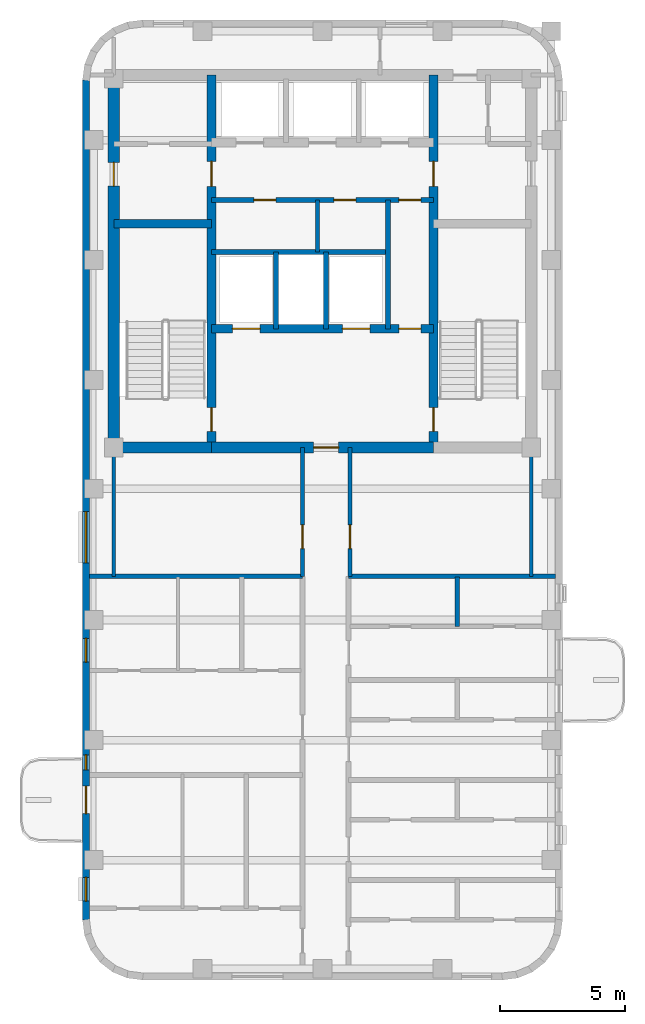
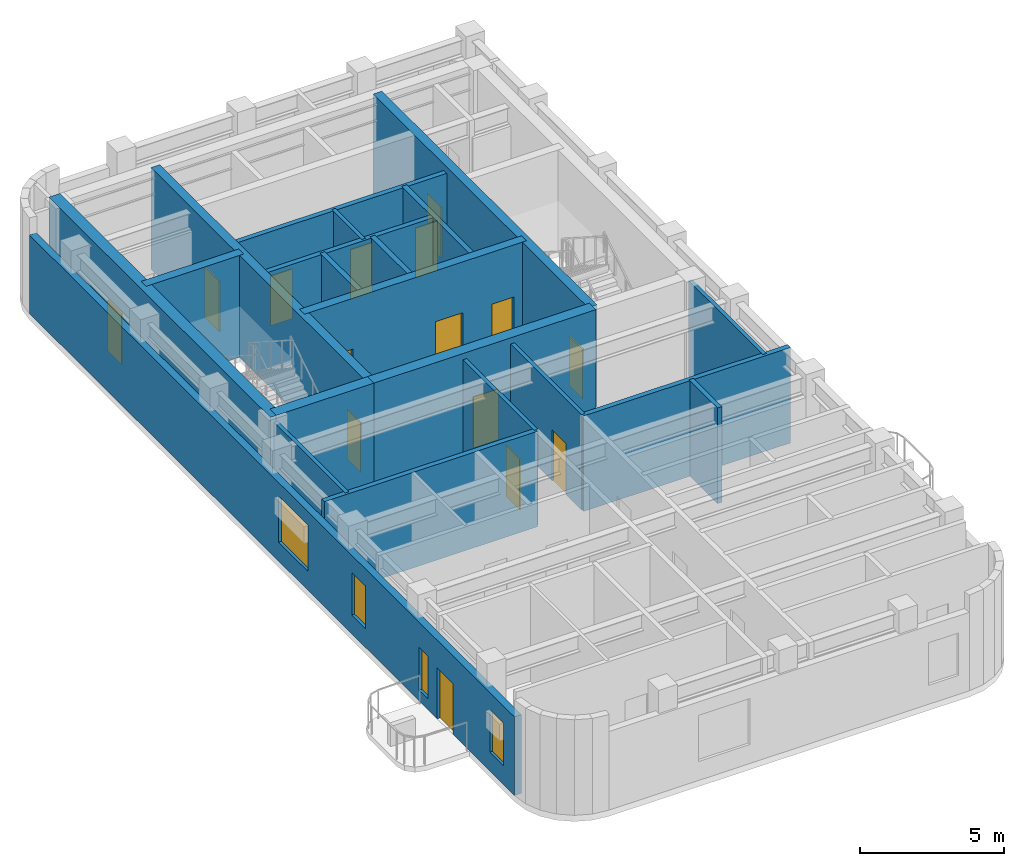
# One storey, part 3 of 7: 21 walls, 15 doors, 4 windows, 19 openings.
"""IFC4 building model written with IfcOpenShell, lengths in metres."""

from ifc_helpers import new_model, si_unit, direction, frame, frame_2d, origin, place, context, subcontext, project, spatial, rectangle, extrude, material, layer, layer_set, type_object, element, fill, save


model = new_model("IFC4")

# Units and contexts
model_context = context("Model", 3, precision=1e-05, world=origin(), true_north=direction((0.0, 1.0)))
body_context = subcontext(model_context, "Body", "Model", "MODEL_VIEW")
ifc_project = project(units=[si_unit("LENGTHUNIT", "METRE"), si_unit("AREAUNIT", "SQUARE_METRE"), si_unit("VOLUMEUNIT", "CUBIC_METRE"), si_unit("PLANEANGLEUNIT", "RADIAN"), si_unit("MASSUNIT", "GRAM", prefix="KILO")], contexts=[model_context])

# Site, building, storey
site_placement = place(None, origin())
site = spatial("IfcSite", under=ifc_project, at=site_placement, CompositionType="ELEMENT")
building_placement = place(site_placement, origin())
building = spatial("IfcBuilding", under=site, at=building_placement, Name="Orvandelia Arch Residences", CompositionType="ELEMENT")
storey_placement = place(building_placement, frame((0.0, 0.0, 257.0)))
storey = spatial("IfcBuildingStorey", under=building, at=storey_placement, Name="L67", CompositionType="ELEMENT", Elevation=257.0)

# Wall, openings, doors
ifc_material_1 = material(Name="Concrete C50/60", Category="concrete")
ifc_layer_1 = layer(ifc_material_1, 0.35009765625, Name="Concrete C50/60", Category="concrete")
ifc_layer_set_1 = layer_set([ifc_layer_1], Name="Concrete C50/60")
wall_type_1 = type_object("IfcWallType", Name="WL-CORE-350", PredefinedType="SHEAR", material=ifc_layer_set_1)
wall_1_placement = place(storey_placement, frame((9.9599609375, 30.89990234375, 0.0), z_axis=(0.0, 0.0, 1.0), x_axis=(0.0, 1.0, 0.0)))
wall_1 = element("IfcWall", 1, at=wall_1_placement, inside=storey, type_object=wall_type_1, Name="Core Shear Wall L67-WEB1", PredefinedType="SHEAR", context=body_context, shape_type="SweptSolid", body=[
    extrude(rectangle(XDim=14.900146484375, YDim=0.35009765625, at=frame_2d((7.4501953125, 0.0))), origin(), (0.0, 0.0, 1.0), 4.300048828125),
])
opening_1_placement = place(wall_1_placement, frame((0.64990234375, 0.0, 0.0)))
opening_1 = element("IfcOpeningElement", 2, at=opening_1_placement, cuts=wall_1, Name="Opening D7", PredefinedType="OPENING", context=body_context, shape_type="SweptSolid", body=[
    extrude(rectangle(XDim=0.949951171875, YDim=2.10009765625, at=frame_2d((0.47509765625, 1.050048828125))), frame((0.0, 0.18505859375, 0.0), z_axis=(0.0, -1.0, 0.0), x_axis=(1.0, 0.0, 0.0)), (0.0, 0.0, 1.0), 0.3701171875),
])
opening_2_placement = place(wall_1_placement, frame((10.449951171875, 0.0, 0.0)))
opening_2 = element("IfcOpeningElement", 3, at=opening_2_placement, cuts=wall_1, Name="Opening D6", PredefinedType="OPENING", context=body_context, shape_type="SweptSolid", body=[
    extrude(rectangle(XDim=1.0, YDim=2.14990234375, at=frame_2d((0.5, 1.074951171875))), frame((0.0, 0.18505859375, 0.0), z_axis=(0.0, -1.0, 0.0), x_axis=(1.0, 0.0, 0.0)), (0.0, 0.0, 1.0), 0.3701171875),
])
ifc_material_2 = material(Name="Smokeproof Painted Steel Fire Door", Category="steel")
door_type_1 = type_object("IfcDoorType", Name="DR-FD60-1000", OperationType="NOTDEFINED", PredefinedType="DOOR", material=ifc_material_2)
door_1_placement = place(opening_2_placement, origin())
door_1 = element("IfcDoor", 4, at=door_1_placement, inside=storey, type_object=door_type_1, Name="High-Rise Lift Hall West Vestibule Door L67", OperationType="SINGLE_SWING_LEFT", OverallHeight=2.14990234375, OverallWidth=1.0, PredefinedType="DOOR", context=body_context, shape_type="SweptSolid", body=[
    extrude(rectangle(XDim=1.0, YDim=2.14990234375, at=frame_2d((0.5, 1.074951171875))), frame((0.0, 0.02490234375, 0.0), z_axis=(0.0, -1.0, 0.0), x_axis=(1.0, 0.0, 0.0)), (0.0, 0.0, 1.0), 0.050048828125),
])
fill(opening_2, door_1)
ifc_material_3 = material(Name="Pressurised Stairwell Fire Door")
door_type_2 = type_object("IfcDoorType", Name="DR-STAIR-950", OperationType="NOTDEFINED", PredefinedType="DOOR", material=ifc_material_3)
door_2_placement = place(opening_1_placement, origin())
door_2 = element("IfcDoor", 5, at=door_2_placement, inside=storey, type_object=door_type_2, Name="Stairwell ST-1 Fire Door L67", OperationType="SINGLE_SWING_LEFT", OverallHeight=2.10009765625, OverallWidth=0.949951171875, PredefinedType="DOOR", context=body_context, shape_type="SweptSolid", body=[
    extrude(rectangle(XDim=0.949951171875, YDim=2.10009765625, at=frame_2d((0.47509765625, 1.050048828125))), frame((0.0, 0.02490234375, 0.0), z_axis=(0.0, -1.0, 0.0), x_axis=(1.0, 0.0, 0.0)), (0.0, 0.0, 1.0), 0.050048828125),
])
fill(opening_1, door_2)

wall_2_placement = place(storey_placement, frame((18.840087890625, 30.89990234375, 0.0), z_axis=(0.0, 0.0, 1.0), x_axis=(0.0, 1.0, 0.0)))
wall_2 = element("IfcWall", 6, at=wall_2_placement, inside=storey, type_object=wall_type_1, Name="Core Shear Wall L67-WEB2", PredefinedType="SHEAR", context=body_context, shape_type="SweptSolid", body=[
    extrude(rectangle(XDim=14.900146484375, YDim=0.35009765625, at=frame_2d((7.4501953125, 0.0))), origin(), (0.0, 0.0, 1.0), 4.300048828125),
])
opening_3_placement = place(wall_2_placement, frame((0.64990234375, 0.0, 0.0)))
opening_3 = element("IfcOpeningElement", 7, at=opening_3_placement, cuts=wall_2, Name="Opening D7", PredefinedType="OPENING", context=body_context, shape_type="SweptSolid", body=[
    extrude(rectangle(XDim=0.949951171875, YDim=2.10009765625, at=frame_2d((0.47509765625, 1.050048828125))), frame((0.0, 0.18505859375, 0.0), z_axis=(0.0, -1.0, 0.0), x_axis=(1.0, 0.0, 0.0)), (0.0, 0.0, 1.0), 0.3701171875),
])
opening_4_placement = place(wall_2_placement, frame((10.449951171875, 0.0, 0.0)))
opening_4 = element("IfcOpeningElement", 8, at=opening_4_placement, cuts=wall_2, Name="Opening D6", PredefinedType="OPENING", context=body_context, shape_type="SweptSolid", body=[
    extrude(rectangle(XDim=1.0, YDim=2.14990234375, at=frame_2d((0.5, 1.074951171875))), frame((0.0, 0.18505859375, 0.0), z_axis=(0.0, -1.0, 0.0), x_axis=(1.0, 0.0, 0.0)), (0.0, 0.0, 1.0), 0.3701171875),
])
door_3_placement = place(opening_4_placement, origin())
door_3 = element("IfcDoor", 9, at=door_3_placement, inside=storey, type_object=door_type_1, Name="High-Rise Lift Hall East Vestibule Door L67", OperationType="SINGLE_SWING_RIGHT", OverallHeight=2.14990234375, OverallWidth=1.0, PredefinedType="DOOR", context=body_context, shape_type="SweptSolid", body=[
    extrude(rectangle(XDim=1.0, YDim=2.14990234375, at=frame_2d((0.5, 1.074951171875))), frame((0.0, 0.02490234375, 0.0), z_axis=(0.0, -1.0, 0.0), x_axis=(1.0, 0.0, 0.0)), (0.0, 0.0, 1.0), 0.050048828125),
])
fill(opening_4, door_3)
door_4_placement = place(opening_3_placement, origin())
door_4 = element("IfcDoor", 10, at=door_4_placement, inside=storey, type_object=door_type_2, Name="Stairwell ST-2 Fire Door L67", OperationType="SINGLE_SWING_RIGHT", OverallHeight=2.10009765625, OverallWidth=0.949951171875, PredefinedType="DOOR", context=body_context, shape_type="SweptSolid", body=[
    extrude(rectangle(XDim=0.949951171875, YDim=2.10009765625, at=frame_2d((0.47509765625, 1.050048828125))), frame((0.0, 0.02490234375, 0.0), z_axis=(0.0, -1.0, 0.0), x_axis=(1.0, 0.0, 0.0)), (0.0, 0.0, 1.0), 0.050048828125),
])
fill(opening_3, door_4)

# Wall
wall_3_placement = place(storey_placement, frame((6.050048828125, 39.85009765625, 0.0), z_axis=(0.0, 0.0, 1.0), x_axis=(1.0, 0.0, 0.0)))
element("IfcWall", 11, at=wall_3_placement, inside=storey, type_object=wall_type_1, Name="Core Shear Wall L67-HZ1", PredefinedType="SHEAR", context=body_context, shape_type="SweptSolid", body=[
    extrude(rectangle(XDim=3.909912109375, YDim=0.35009765625, at=frame_2d((1.955078125, 0.0))), origin(), (0.0, 0.0, 1.0), 4.300048828125),
])

# Wall, openings, doors
wall_4_placement = place(storey_placement, frame((9.9599609375, 35.64990234375, 0.0), z_axis=(0.0, 0.0, 1.0), x_axis=(1.0, 0.0, 0.0)))
wall_4 = element("IfcWall", 12, at=wall_4_placement, inside=storey, type_object=wall_type_1, Name="Core Shear Wall L67-HZ3", PredefinedType="SHEAR", context=body_context, shape_type="SweptSolid", body=[
    extrude(rectangle(XDim=8.880126953125, YDim=0.35009765625, at=frame_2d((4.43994140625, 0.0))), origin(), (0.0, 0.0, 1.0), 4.300048828125),
])
opening_5_placement = place(wall_4_placement, frame((0.840087890625, 0.0, 0.0)))
opening_5 = element("IfcOpeningElement", 13, at=opening_5_placement, cuts=wall_4, Name="Opening FLD", PredefinedType="OPENING", context=body_context, shape_type="SweptSolid", body=[
    extrude(rectangle(XDim=1.10009765625, YDim=2.14990234375, at=frame_2d((0.550048828125, 1.074951171875))), frame((0.0, 0.18505859375, 0.0), z_axis=(0.0, -1.0, 0.0), x_axis=(1.0, 0.0, 0.0)), (0.0, 0.0, 1.0), 0.3701171875),
])
opening_6_placement = place(wall_4_placement, frame((5.239990234375, 0.0, 0.0)))
opening_6 = element("IfcOpeningElement", 14, at=opening_6_placement, cuts=wall_4, Name="Opening FLD", PredefinedType="OPENING", context=body_context, shape_type="SweptSolid", body=[
    extrude(rectangle(XDim=1.10009765625, YDim=2.14990234375, at=frame_2d((0.550048828125, 1.074951171875))), frame((0.0, 0.18505859375, 0.0), z_axis=(0.0, -1.0, 0.0), x_axis=(1.0, 0.0, 0.0)), (0.0, 0.0, 1.0), 0.3701171875),
])
opening_7_placement = place(wall_4_placement, frame((7.5, 0.0, 0.0)))
opening_7 = element("IfcOpeningElement", 15, at=opening_7_placement, cuts=wall_4, Name="Opening D5", PredefinedType="OPENING", context=body_context, shape_type="SweptSolid", body=[
    extrude(rectangle(XDim=0.8798828125, YDim=2.10009765625, at=frame_2d((0.43994140625, 1.050048828125))), frame((0.0, 0.18505859375, 0.0), z_axis=(0.0, -1.0, 0.0), x_axis=(1.0, 0.0, 0.0)), (0.0, 0.0, 1.0), 0.3701171875),
])
ifc_material_4 = material(Name="Firefighting Lift Stainless Sliding Door")
door_type_3 = type_object("IfcDoorType", Name="DR-FLFT-1100", OperationType="NOTDEFINED", PredefinedType="DOOR", material=ifc_material_4)
door_5_placement = place(opening_5_placement, origin())
door_5 = element("IfcDoor", 16, at=door_5_placement, inside=storey, type_object=door_type_3, Name="Firefighting Lift Landing Door FLD-FL1-L67", OperationType="SLIDING_TO_LEFT", OverallHeight=2.14990234375, OverallWidth=1.10009765625, PredefinedType="DOOR", context=body_context, shape_type="SweptSolid", body=[
    extrude(rectangle(XDim=1.10009765625, YDim=2.14990234375, at=frame_2d((0.550048828125, 1.074951171875))), frame((0.0, 0.02490234375, 0.0), z_axis=(0.0, -1.0, 0.0), x_axis=(1.0, 0.0, 0.0)), (0.0, 0.0, 1.0), 0.050048828125),
])
fill(opening_5, door_5)
door_6_placement = place(opening_6_placement, origin())
door_6 = element("IfcDoor", 17, at=door_6_placement, inside=storey, type_object=door_type_3, Name="Firefighting Lift Landing Door FLD-FL2-L67", OperationType="SLIDING_TO_RIGHT", OverallHeight=2.14990234375, OverallWidth=1.10009765625, PredefinedType="DOOR", context=body_context, shape_type="SweptSolid", body=[
    extrude(rectangle(XDim=1.10009765625, YDim=2.14990234375, at=frame_2d((0.550048828125, 1.074951171875))), frame((0.0, 0.02490234375, 0.0), z_axis=(0.0, -1.0, 0.0), x_axis=(1.0, 0.0, 0.0)), (0.0, 0.0, 1.0), 0.050048828125),
])
fill(opening_6, door_6)
ifc_material_5 = material(Name="Painted Galvanised Steel Service Door", Category="steel")
door_type_4 = type_object("IfcDoorType", Name="DR-SRV-880", OperationType="NOTDEFINED", PredefinedType="DOOR", material=ifc_material_5)
door_7_placement = place(opening_7_placement, origin())
door_7 = element("IfcDoor", 18, at=door_7_placement, inside=storey, type_object=door_type_4, Name="Core Stairway Passage South Fire Door L67", OperationType="SINGLE_SWING_LEFT", OverallHeight=2.10009765625, OverallWidth=0.8798828125, PredefinedType="DOOR", context=body_context, shape_type="SweptSolid", body=[
    extrude(rectangle(XDim=0.8798828125, YDim=2.10009765625, at=frame_2d((0.43994140625, 1.050048828125))), frame((0.0, 0.02490234375, 0.0), z_axis=(0.0, -1.0, 0.0), x_axis=(1.0, 0.0, 0.0)), (0.0, 0.0, 1.0), 0.050048828125),
])
fill(opening_7, door_7)

# Wall, opening, door
ifc_layer_2 = layer(ifc_material_1, 0.449951171875, Name="Concrete C50/60", Category="concrete")
ifc_layer_set_2 = layer_set([ifc_layer_2], Name="Concrete C50/60")
wall_type_2 = type_object("IfcWallType", Name="WL-CORE-450", PredefinedType="SHEAR", material=ifc_layer_set_2)
wall_5_placement = place(storey_placement, frame((6.050048828125, 30.675048828125, 0.0), z_axis=(0.0, 0.0, 1.0), x_axis=(0.0, 1.0, 0.0)))
wall_5 = element("IfcWall", 19, at=wall_5_placement, inside=storey, type_object=wall_type_2, Name="Core Shear Wall L67-W", PredefinedType="SHEAR", context=body_context, shape_type="SweptSolid", body=[
    extrude(rectangle(XDim=15.349853515625, YDim=0.449951171875, at=frame_2d((7.6748046875, 0.0))), origin(), (0.0, 0.0, 1.0), 4.300048828125),
])
opening_8_placement = place(wall_5_placement, frame((10.675048828125, 0.0, 0.0)))
opening_8 = element("IfcOpeningElement", 20, at=opening_8_placement, cuts=wall_5, Name="Opening D2", PredefinedType="OPENING", context=body_context, shape_type="SweptSolid", body=[
    extrude(rectangle(XDim=0.949951171875, YDim=2.14990234375, at=frame_2d((0.47509765625, 1.074951171875))), frame((0.0, 0.23486328125, 0.0), z_axis=(0.0, -1.0, 0.0), x_axis=(1.0, 0.0, 0.0)), (0.0, 0.0, 1.0), 0.469970703125),
])
ifc_material_6 = material(Name="Solid-Core Timber Interior Fire Door", Category="wood")
door_type_5 = type_object("IfcDoorType", Name="DR-APT-950", OperationType="NOTDEFINED", PredefinedType="DOOR", material=ifc_material_6)
door_8_placement = place(opening_8_placement, origin())
door_8 = element("IfcDoor", 21, at=door_8_placement, inside=storey, type_object=door_type_5, Name="West Viewing Study Door L67", OperationType="SINGLE_SWING_RIGHT", OverallHeight=2.14990234375, OverallWidth=0.949951171875, PredefinedType="DOOR", context=body_context, shape_type="SweptSolid", body=[
    extrude(rectangle(XDim=0.949951171875, YDim=2.14990234375, at=frame_2d((0.47509765625, 1.074951171875))), frame((0.0, 0.02490234375, 0.0), z_axis=(0.0, -1.0, 0.0), x_axis=(1.0, 0.0, 0.0)), (0.0, 0.0, 1.0), 0.050048828125),
])
fill(opening_8, door_8)

# Wall
wall_6_placement = place(storey_placement, frame((6.050048828125, 30.89990234375, 0.0), z_axis=(0.0, 0.0, 1.0), x_axis=(1.0, 0.0, 0.0)))
element("IfcWall", 22, at=wall_6_placement, inside=storey, type_object=wall_type_2, Name="Core Shear Wall L67-SW", PredefinedType="SHEAR", context=body_context, shape_type="SweptSolid", body=[
    extrude(rectangle(XDim=3.909912109375, YDim=0.449951171875, at=frame_2d((1.955078125, 0.0))), origin(), (0.0, 0.0, 1.0), 4.300048828125),
])

# Wall, opening, door
wall_7_placement = place(storey_placement, frame((9.9599609375, 30.89990234375, 0.0), z_axis=(0.0, 0.0, 1.0), x_axis=(1.0, 0.0, 0.0)))
wall_7 = element("IfcWall", 23, at=wall_7_placement, inside=storey, type_object=wall_type_2, Name="Core Shear Wall L67-SM", PredefinedType="SHEAR", context=body_context, shape_type="SweptSolid", body=[
    extrude(rectangle(XDim=8.880126953125, YDim=0.449951171875, at=frame_2d((4.43994140625, 0.0))), origin(), (0.0, 0.0, 1.0), 4.300048828125),
])
opening_9_placement = place(wall_7_placement, frame((4.090087890625, 0.0, 0.0)))
opening_9 = element("IfcOpeningElement", 24, at=opening_9_placement, cuts=wall_7, Name="Opening D6", PredefinedType="OPENING", context=body_context, shape_type="SweptSolid", body=[
    extrude(rectangle(XDim=1.0, YDim=2.14990234375, at=frame_2d((0.5, 1.074951171875))), frame((0.0, 0.23486328125, 0.0), z_axis=(0.0, -1.0, 0.0), x_axis=(1.0, 0.0, 0.0)), (0.0, 0.0, 1.0), 0.469970703125),
])
door_9_placement = place(opening_9_placement, origin())
door_9 = element("IfcDoor", 25, at=door_9_placement, inside=storey, type_object=door_type_1, Name="Firefighting Lobby Smokeproof Door L67", OperationType="SINGLE_SWING_LEFT", OverallHeight=2.14990234375, OverallWidth=1.0, PredefinedType="DOOR", context=body_context, shape_type="SweptSolid", body=[
    extrude(rectangle(XDim=1.0, YDim=2.14990234375, at=frame_2d((0.5, 1.074951171875))), frame((0.0, 0.02490234375, 0.0), z_axis=(0.0, -1.0, 0.0), x_axis=(1.0, 0.0, 0.0)), (0.0, 0.0, 1.0), 0.050048828125),
])
fill(opening_9, door_9)

# Walls
ifc_material_7 = material(Name="Fire-Rated Corridor Partition")
ifc_layer_3 = layer(ifc_material_7, 0.199951171875, Name="Fire-Rated Corridor Partition")
ifc_layer_set_3 = layer_set([ifc_layer_3], Name="Fire-Rated Corridor Partition")
wall_type_3 = type_object("IfcWallType", Name="WL-CORR-200", PredefinedType="PARTITIONING", material=ifc_layer_set_3)
wall_8_placement = place(storey_placement, frame((5.080078125, 25.75, 0.0), z_axis=(0.0, 0.0, 1.0), x_axis=(1.0, 0.0, 0.0)))
element("IfcWall", 26, at=wall_8_placement, inside=storey, type_object=wall_type_3, Name="Interior Partition Wall WL-L67-WCLS-W", PredefinedType="PARTITIONING", context=body_context, shape_type="SweptSolid", body=[
    extrude(rectangle(XDim=8.52001953125, YDim=0.199951171875, at=frame_2d((4.260009765625, 0.0))), origin(), (0.0, 0.0, 1.0), 4.0400390625),
])
wall_9_placement = place(storey_placement, frame((15.449951171875, 25.75, 0.0), z_axis=(0.0, 0.0, 1.0), x_axis=(1.0, 0.0, 0.0)))
element("IfcWall", 27, at=wall_9_placement, inside=storey, type_object=wall_type_3, Name="Interior Partition Wall WL-L67-WCLS-E", PredefinedType="PARTITIONING", context=body_context, shape_type="SweptSolid", body=[
    extrude(rectangle(XDim=8.27001953125, YDim=0.199951171875, at=frame_2d((4.135009765625, 0.0))), origin(), (0.0, 0.0, 1.0), 4.0400390625),
])

# Wall, openings, door, windows
ifc_material_8 = material(Name="Precast concrete C40/50", Category="concrete")
ifc_layer_4 = layer(ifc_material_8, 0.280029296875, Name="Precast concrete C40/50", Category="concrete")
ifc_layer_set_4 = layer_set([ifc_layer_4], Name="Precast concrete C40/50")
wall_type_4 = type_object("IfcWallType", Name="WL-EXT-STONE-280", PredefinedType="STANDARD", material=ifc_layer_set_4)
wall_10_placement = place(storey_placement, frame((4.93994140625, 12.0, 0.0), z_axis=(0.0, 0.0, 1.0), x_axis=(0.0, 1.0, 0.0)))
wall_10 = element("IfcWall", 28, at=wall_10_placement, inside=storey, type_object=wall_type_4, Name="Coral-Limestone Precast Facade Wall L67-028", PredefinedType="STANDARD", context=body_context, shape_type="SweptSolid", body=[
    extrude(rectangle(XDim=33.60009765625, YDim=0.280029296875, at=frame_2d((16.800048828125, 0.0))), origin(), (0.0, 0.0, 1.0), 3.320068359375),
])
opening_10_placement = place(wall_10_placement, frame((4.25, 0.0, 0.0)))
opening_10 = element("IfcOpeningElement", 29, at=opening_10_placement, cuts=wall_10, Name="Opening BD1", PredefinedType="OPENING", context=body_context, shape_type="SweptSolid", body=[
    extrude(rectangle(XDim=1.10009765625, YDim=2.14990234375, at=frame_2d((0.550048828125, 1.074951171875))), frame((0.0, 0.14990234375, 0.0), z_axis=(0.0, -1.0, 0.0), x_axis=(1.0, 0.0, 0.0)), (0.0, 0.0, 1.0), 0.300048828125),
])
opening_11_placement = place(wall_10_placement, frame((0.758544921875, 0.0, 0.800048828125)))
opening_11 = element("IfcOpeningElement", 30, at=opening_11_placement, cuts=wall_10, Name="Opening W4", PredefinedType="OPENING", context=body_context, shape_type="SweptSolid", body=[
    extrude(rectangle(XDim=0.949951171875, YDim=1.800048828125, at=frame_2d((0.47509765625, 0.89990234375))), frame((0.0, 0.14990234375, 0.0), z_axis=(0.0, -1.0, 0.0), x_axis=(1.0, 0.0, 0.0)), (0.0, 0.0, 1.0), 0.300048828125),
])
opening_12_placement = place(wall_10_placement, frame((6.00244140625, 0.0, 0.449951171875)))
opening_12 = element("IfcOpeningElement", 31, at=opening_12_placement, cuts=wall_10, Name="Opening W12", PredefinedType="OPENING", context=body_context, shape_type="SweptSolid", body=[
    extrude(rectangle(XDim=0.60009765625, YDim=1.800048828125, at=frame_2d((0.300048828125, 0.89990234375))), frame((0.0, 0.14990234375, 0.0), z_axis=(0.0, -1.0, 0.0), x_axis=(1.0, 0.0, 0.0)), (0.0, 0.0, 1.0), 0.300048828125),
])
opening_13_placement = place(wall_10_placement, frame((10.3173828125, 0.0, 0.800048828125)))
opening_13 = element("IfcOpeningElement", 32, at=opening_13_placement, cuts=wall_10, Name="Opening W4", PredefinedType="OPENING", context=body_context, shape_type="SweptSolid", body=[
    extrude(rectangle(XDim=0.949951171875, YDim=1.800048828125, at=frame_2d((0.47509765625, 0.89990234375))), frame((0.0, 0.14990234375, 0.0), z_axis=(0.0, -1.0, 0.0), x_axis=(1.0, 0.0, 0.0)), (0.0, 0.0, 1.0), 0.300048828125),
])
opening_14_placement = place(wall_10_placement, frame((14.282470703125, 0.0, 0.800048828125)))
opening_14 = element("IfcOpeningElement", 33, at=opening_14_placement, cuts=wall_10, Name="Opening W8", PredefinedType="OPENING", context=body_context, shape_type="SweptSolid", body=[
    extrude(rectangle(XDim=2.050048828125, YDim=1.949951171875, at=frame_2d((1.02490234375, 0.97509765625))), frame((0.0, 0.14990234375, 0.0), z_axis=(0.0, -1.0, 0.0), x_axis=(1.0, 0.0, 0.0)), (0.0, 0.0, 1.0), 0.300048828125),
])
ifc_material_9 = material(Name="Thermally Broken Aluminium Glazed Door", Category="aluminium")
door_type_6 = type_object("IfcDoorType", Name="DR-BAL-GLAZ-1100", OperationType="NOTDEFINED", PredefinedType="DOOR", material=ifc_material_9)
door_10_placement = place(opening_10_placement, origin())
door_10 = element("IfcDoor", 34, at=door_10_placement, inside=storey, type_object=door_type_6, Name="Tree Balcony Glazed Door BAL-L67-W1", OperationType="SINGLE_SWING_RIGHT", OverallHeight=2.14990234375, OverallWidth=1.10009765625, PredefinedType="DOOR", context=body_context, shape_type="SweptSolid", body=[
    extrude(rectangle(XDim=1.10009765625, YDim=2.14990234375, at=frame_2d((0.550048828125, 1.074951171875))), frame((0.0, 0.02490234375, 0.0), z_axis=(0.0, -1.0, 0.0), x_axis=(1.0, 0.0, 0.0)), (0.0, 0.0, 1.0), 0.050048828125),
])
fill(opening_10, door_10)
ifc_material_10 = material(Name="Tempered Low-E Insulated Glazing", Category="glass")
window_type_1 = type_object("IfcWindowType", Name="WIN-LAN-0600x1800", PartitioningType="SINGLE_PANEL", PredefinedType="WINDOW", material=ifc_material_10)
window_1_placement = place(opening_12_placement, origin())
window_1 = element("IfcWindow", 35, at=window_1_placement, inside=storey, type_object=window_type_1, Name="Recessed Punched Window L67-013", OverallHeight=1.800048828125, OverallWidth=0.60009765625, PartitioningType="SINGLE_PANEL", PredefinedType="WINDOW", context=body_context, shape_type="SweptSolid", body=[
    extrude(rectangle(XDim=0.60009765625, YDim=1.800048828125, at=frame_2d((0.300048828125, 0.89990234375))), frame((0.0, 0.030029296875, 0.0), z_axis=(0.0, -1.0, 0.0), x_axis=(1.0, 0.0, 0.0)), (0.0, 0.0, 1.0), 0.06005859375),
])
fill(opening_12, window_1)
window_type_2 = type_object("IfcWindowType", Name="WIN-RES-0950x1800", PartitioningType="SINGLE_PANEL", PredefinedType="WINDOW", material=ifc_material_10)
window_2_placement = place(opening_11_placement, origin())
window_2 = element("IfcWindow", 36, at=window_2_placement, inside=storey, type_object=window_type_2, Name="Recessed Punched Window L67-012", OverallHeight=1.800048828125, OverallWidth=0.949951171875, PartitioningType="SINGLE_PANEL", PredefinedType="WINDOW", context=body_context, shape_type="SweptSolid", body=[
    extrude(rectangle(XDim=0.949951171875, YDim=1.800048828125, at=frame_2d((0.47509765625, 0.89990234375))), frame((0.0, 0.030029296875, 0.0), z_axis=(0.0, -1.0, 0.0), x_axis=(1.0, 0.0, 0.0)), (0.0, 0.0, 1.0), 0.06005859375),
])
fill(opening_11, window_2)
window_3_placement = place(opening_13_placement, origin())
window_3 = element("IfcWindow", 37, at=window_3_placement, inside=storey, type_object=window_type_2, Name="Recessed Punched Window L67-014", OverallHeight=1.800048828125, OverallWidth=0.949951171875, PartitioningType="SINGLE_PANEL", PredefinedType="WINDOW", context=body_context, shape_type="SweptSolid", body=[
    extrude(rectangle(XDim=0.949951171875, YDim=1.800048828125, at=frame_2d((0.47509765625, 0.89990234375))), frame((0.0, 0.030029296875, 0.0), z_axis=(0.0, -1.0, 0.0), x_axis=(1.0, 0.0, 0.0)), (0.0, 0.0, 1.0), 0.06005859375),
])
fill(opening_13, window_3)
window_type_3 = type_object("IfcWindowType", Name="WIN-UPP-2050x1950", PartitioningType="SINGLE_PANEL", PredefinedType="WINDOW", material=ifc_material_10)
window_4_placement = place(opening_14_placement, origin())
window_4 = element("IfcWindow", 38, at=window_4_placement, inside=storey, type_object=window_type_3, Name="Recessed Punched Window L67-015", OverallHeight=1.949951171875, OverallWidth=2.050048828125, PartitioningType="SINGLE_PANEL", PredefinedType="WINDOW", context=body_context, shape_type="SweptSolid", body=[
    extrude(rectangle(XDim=2.050048828125, YDim=1.949951171875, at=frame_2d((1.02490234375, 0.97509765625))), frame((0.0, 0.030029296875, 0.0), z_axis=(0.0, -1.0, 0.0), x_axis=(1.0, 0.0, 0.0)), (0.0, 0.0, 1.0), 0.06005859375),
])
fill(opening_14, window_4)

# Wall
ifc_material_11 = material(Name="Acoustic Gypsum Stud Partition")
ifc_layer_5 = layer(ifc_material_11, 0.14990234375, Name="Acoustic Gypsum Stud Partition")
ifc_layer_set_5 = layer_set([ifc_layer_5], Name="Acoustic Gypsum Stud Partition")
wall_type_5 = type_object("IfcWallType", Name="WL-PART-150", PredefinedType="PARTITIONING", material=ifc_layer_set_5)
wall_11_placement = place(storey_placement, frame((14.199951171875, 38.719970703125, 0.0), z_axis=(0.0, 0.0, 1.0), x_axis=(0.0, 1.0, 0.0)))
element("IfcWall", 39, at=wall_11_placement, inside=storey, type_object=wall_type_5, Name="Interior Partition Wall WL-L67-CSA-1", PredefinedType="PARTITIONING", context=body_context, shape_type="SweptSolid", body=[
    extrude(rectangle(XDim=2.080078125, YDim=0.14990234375, at=frame_2d((1.0400390625, 0.0))), origin(), (0.0, 0.0, 1.0), 4.0400390625),
])

# Wall, opening, door
wall_12_placement = place(storey_placement, frame((13.60009765625, 25.75, 0.0), z_axis=(0.0, 0.0, 1.0), x_axis=(0.0, 1.0, 0.0)))
wall_12 = element("IfcWall", 40, at=wall_12_placement, inside=storey, type_object=wall_type_5, Name="Interior Partition Wall WL-L67-HI-W1", PredefinedType="PARTITIONING", context=body_context, shape_type="SweptSolid", body=[
    extrude(rectangle(XDim=5.14990234375, YDim=0.14990234375, at=frame_2d((2.574951171875, 0.0))), origin(), (0.0, 0.0, 1.0), 4.0400390625),
])
opening_15_placement = place(wall_12_placement, frame((1.10009765625, 0.0, 0.0)))
opening_15 = element("IfcOpeningElement", 41, at=opening_15_placement, cuts=wall_12, Name="Opening D2", PredefinedType="OPENING", context=body_context, shape_type="SweptSolid", body=[
    extrude(rectangle(XDim=0.949951171875, YDim=2.14990234375, at=frame_2d((0.47509765625, 1.074951171875))), frame((0.0, 0.0849609375, 0.0), z_axis=(0.0, -1.0, 0.0), x_axis=(1.0, 0.0, 0.0)), (0.0, 0.0, 1.0), 0.169921875),
])
door_11_placement = place(opening_15_placement, origin())
door_11 = element("IfcDoor", 42, at=door_11_placement, inside=storey, type_object=door_type_5, Name="DR-L67-HIR1", OperationType="SINGLE_SWING_LEFT", OverallHeight=2.14990234375, OverallWidth=0.949951171875, PredefinedType="DOOR", context=body_context, shape_type="SweptSolid", body=[
    extrude(rectangle(XDim=0.949951171875, YDim=2.14990234375, at=frame_2d((0.47509765625, 1.074951171875))), frame((0.0, 0.02490234375, 0.0), z_axis=(0.0, -1.0, 0.0), x_axis=(1.0, 0.0, 0.0)), (0.0, 0.0, 1.0), 0.050048828125),
])
fill(opening_15, door_11)

wall_13_placement = place(storey_placement, frame((15.5, 25.75, 0.0), z_axis=(0.0, 0.0, 1.0), x_axis=(0.0, 1.0, 0.0)))
wall_13 = element("IfcWall", 43, at=wall_13_placement, inside=storey, type_object=wall_type_5, Name="Interior Partition Wall WL-L67-HI-W2", PredefinedType="PARTITIONING", context=body_context, shape_type="SweptSolid", body=[
    extrude(rectangle(XDim=5.14990234375, YDim=0.14990234375, at=frame_2d((2.574951171875, 0.0))), origin(), (0.0, 0.0, 1.0), 4.0400390625),
])
opening_16_placement = place(wall_13_placement, frame((1.10009765625, 0.0, 0.0)))
opening_16 = element("IfcOpeningElement", 44, at=opening_16_placement, cuts=wall_13, Name="Opening D2", PredefinedType="OPENING", context=body_context, shape_type="SweptSolid", body=[
    extrude(rectangle(XDim=0.949951171875, YDim=2.14990234375, at=frame_2d((0.47509765625, 1.074951171875))), frame((0.0, 0.0849609375, 0.0), z_axis=(0.0, -1.0, 0.0), x_axis=(1.0, 0.0, 0.0)), (0.0, 0.0, 1.0), 0.169921875),
])
door_12_placement = place(opening_16_placement, origin())
door_12 = element("IfcDoor", 45, at=door_12_placement, inside=storey, type_object=door_type_5, Name="DR-L67-HIR2", OperationType="SINGLE_SWING_RIGHT", OverallHeight=2.14990234375, OverallWidth=0.949951171875, PredefinedType="DOOR", context=body_context, shape_type="SweptSolid", body=[
    extrude(rectangle(XDim=0.949951171875, YDim=2.14990234375, at=frame_2d((0.47509765625, 1.074951171875))), frame((0.0, 0.02490234375, 0.0), z_axis=(0.0, -1.0, 0.0), x_axis=(1.0, 0.0, 0.0)), (0.0, 0.0, 1.0), 0.050048828125),
])
fill(opening_16, door_12)

# Walls
for number, where, z_axis, x_axis, name in (
    (46, (6.050048828125, 25.75, 0.0), (0.0, 0.0, 1.0), (0.0, 1.0, 0.0), "Interior Partition Wall WL-L67-HI-WW"),
    (47, (22.75, 25.75, 0.0), (0.0, 0.0, 1.0), (0.0, 1.0, 0.0), "Interior Partition Wall WL-L67-HI-WE"),
):
    element("IfcWall", number, at=place(storey_placement, frame(where, z_axis=z_axis, x_axis=x_axis)), inside=storey, type_object=wall_type_5, Name=name, PredefinedType="PARTITIONING", context=body_context, shape_type="SweptSolid", body=[
        extrude(rectangle(XDim=5.14990234375, YDim=0.14990234375, at=frame_2d((2.574951171875, 0.0))), origin(), (0.0, 0.0, 1.0), 4.0400390625),
    ])
ifc_material_12 = material(Name="Fire-Rated Shaft Enclosure Wall")
ifc_layer_6 = layer(ifc_material_12, 0.199951171875, Name="Fire-Rated Shaft Enclosure Wall")
ifc_layer_set_6 = layer_set([ifc_layer_6], Name="Fire-Rated Shaft Enclosure Wall")
wall_type_6 = type_object("IfcWallType", Name="WL-SHAFT-200", PredefinedType="POLYGONAL", material=ifc_layer_set_6)
wall_14_placement = place(storey_placement, frame((9.9599609375, 38.719970703125, 0.0), z_axis=(0.0, 0.0, 1.0), x_axis=(1.0, 0.0, 0.0)))
element("IfcWall", 48, at=wall_14_placement, inside=storey, type_object=wall_type_6, Name="Interior Partition Wall WL-L67-FLN", PredefinedType="POLYGONAL", context=body_context, shape_type="SweptSolid", body=[
    extrude(rectangle(XDim=7.06005859375, YDim=0.199951171875, at=frame_2d((3.530029296875, 0.0))), origin(), (0.0, 0.0, 1.0), 4.0400390625),
])
for number, where, z_axis, x_axis, name in (
    (49, (12.550048828125, 35.64990234375, 0.0), (0.0, 0.0, 1.0), (0.0, 1.0, 0.0), "Interior Partition Wall WL-L67-FLM1"),
    (50, (14.550048828125, 35.64990234375, 0.0), (0.0, 0.0, 1.0), (0.0, 1.0, 0.0), "Interior Partition Wall WL-L67-FLM2"),
):
    element("IfcWall", number, at=place(storey_placement, frame(where, z_axis=z_axis, x_axis=x_axis)), inside=storey, type_object=wall_type_6, Name=name, PredefinedType="POLYGONAL", context=body_context, shape_type="SweptSolid", body=[
        extrude(rectangle(XDim=3.070068359375, YDim=0.199951171875, at=frame_2d((1.53515625, 0.0))), origin(), (0.0, 0.0, 1.0), 4.0400390625),
    ])
wall_15_placement = place(storey_placement, frame((17.02001953125, 35.64990234375, 0.0), z_axis=(0.0, 0.0, 1.0), x_axis=(0.0, 1.0, 0.0)))
element("IfcWall", 51, at=wall_15_placement, inside=storey, type_object=wall_type_6, Name="Interior Partition Wall WL-L67-FLM3", PredefinedType="POLYGONAL", context=body_context, shape_type="SweptSolid", body=[
    extrude(rectangle(XDim=5.150146484375, YDim=0.199951171875, at=frame_2d((2.5751953125, 0.0))), origin(), (0.0, 0.0, 1.0), 4.0400390625),
])

# Wall, openings, doors
wall_16_placement = place(storey_placement, frame((9.9599609375, 40.800048828125, 0.0), z_axis=(0.0, 0.0, 1.0), x_axis=(1.0, 0.0, 0.0)))
wall_16 = element("IfcWall", 52, at=wall_16_placement, inside=storey, type_object=wall_type_6, Name="Interior Partition Wall WL-L67-HLH-S", PredefinedType="POLYGONAL", context=body_context, shape_type="SweptSolid", body=[
    extrude(rectangle(XDim=8.880126953125, YDim=0.199951171875, at=frame_2d((4.43994140625, 0.0))), origin(), (0.0, 0.0, 1.0), 4.0400390625),
])
opening_17_placement = place(wall_16_placement, frame((7.5, 0.0, 0.0)))
opening_17 = element("IfcOpeningElement", 53, at=opening_17_placement, cuts=wall_16, Name="Opening D5", PredefinedType="OPENING", context=body_context, shape_type="SweptSolid", body=[
    extrude(rectangle(XDim=0.8798828125, YDim=2.10009765625, at=frame_2d((0.43994140625, 1.050048828125))), frame((0.0, 0.10986328125, 0.0), z_axis=(0.0, -1.0, 0.0), x_axis=(1.0, 0.0, 0.0)), (0.0, 0.0, 1.0), 0.219970703125),
])
opening_18_placement = place(wall_16_placement, frame((1.699951171875, 0.0, 0.0)))
opening_18 = element("IfcOpeningElement", 54, at=opening_18_placement, cuts=wall_16, Name="Opening D5", PredefinedType="OPENING", context=body_context, shape_type="SweptSolid", body=[
    extrude(rectangle(XDim=0.8798828125, YDim=2.10009765625, at=frame_2d((0.43994140625, 1.050048828125))), frame((0.0, 0.10986328125, 0.0), z_axis=(0.0, -1.0, 0.0), x_axis=(1.0, 0.0, 0.0)), (0.0, 0.0, 1.0), 0.219970703125),
])
opening_19_placement = place(wall_16_placement, frame((4.89990234375, 0.0, 0.0)))
opening_19 = element("IfcOpeningElement", 55, at=opening_19_placement, cuts=wall_16, Name="Opening D5", PredefinedType="OPENING", context=body_context, shape_type="SweptSolid", body=[
    extrude(rectangle(XDim=0.8798828125, YDim=2.10009765625, at=frame_2d((0.43994140625, 1.050048828125))), frame((0.0, 0.10986328125, 0.0), z_axis=(0.0, -1.0, 0.0), x_axis=(1.0, 0.0, 0.0)), (0.0, 0.0, 1.0), 0.219970703125),
])
door_13_placement = place(opening_17_placement, origin())
door_13 = element("IfcDoor", 56, at=door_13_placement, inside=storey, type_object=door_type_4, Name="Core Stairway Passage North Fire Door L67", OperationType="SINGLE_SWING_RIGHT", OverallHeight=2.10009765625, OverallWidth=0.8798828125, PredefinedType="DOOR", context=body_context, shape_type="SweptSolid", body=[
    extrude(rectangle(XDim=0.8798828125, YDim=2.10009765625, at=frame_2d((0.43994140625, 1.050048828125))), frame((0.0, 0.02490234375, 0.0), z_axis=(0.0, -1.0, 0.0), x_axis=(1.0, 0.0, 0.0)), (0.0, 0.0, 1.0), 0.050048828125),
])
fill(opening_17, door_13)
door_14_placement = place(opening_18_placement, origin())
door_14 = element("IfcDoor", 57, at=door_14_placement, inside=storey, type_object=door_type_4, Name="DR-L67-CSA1", OperationType="SINGLE_SWING_LEFT", OverallHeight=2.10009765625, OverallWidth=0.8798828125, PredefinedType="DOOR", context=body_context, shape_type="SweptSolid", body=[
    extrude(rectangle(XDim=0.8798828125, YDim=2.10009765625, at=frame_2d((0.43994140625, 1.050048828125))), frame((0.0, 0.02490234375, 0.0), z_axis=(0.0, -1.0, 0.0), x_axis=(1.0, 0.0, 0.0)), (0.0, 0.0, 1.0), 0.050048828125),
])
fill(opening_18, door_14)
door_15_placement = place(opening_19_placement, origin())
door_15 = element("IfcDoor", 58, at=door_15_placement, inside=storey, type_object=door_type_4, Name="DR-L67-CSA2", OperationType="SINGLE_SWING_RIGHT", OverallHeight=2.10009765625, OverallWidth=0.8798828125, PredefinedType="DOOR", context=body_context, shape_type="SweptSolid", body=[
    extrude(rectangle(XDim=0.8798828125, YDim=2.10009765625, at=frame_2d((0.43994140625, 1.050048828125))), frame((0.0, 0.02490234375, 0.0), z_axis=(0.0, -1.0, 0.0), x_axis=(1.0, 0.0, 0.0)), (0.0, 0.0, 1.0), 0.050048828125),
])
fill(opening_19, door_15)

# Wall
ifc_material_13 = material(Name="Moisture-Resistant Plumbing Wall")
ifc_layer_7 = layer(ifc_material_13, 0.179931640625, Name="Moisture-Resistant Plumbing Wall")
ifc_layer_set_7 = layer_set([ifc_layer_7], Name="Moisture-Resistant Plumbing Wall")
wall_type_7 = type_object("IfcWallType", Name="WL-WET-180", PredefinedType="PLUMBINGWALL", material=ifc_layer_set_7)
wall_17_placement = place(storey_placement, frame((19.7900390625, 23.739990234375, 0.0), z_axis=(0.0, 0.0, 1.0), x_axis=(0.0, 1.0, 0.0)))
element("IfcWall", 59, at=wall_17_placement, inside=storey, type_object=wall_type_7, Name="Interior Partition Wall WL-L67-U06-V1", PredefinedType="PLUMBINGWALL", context=body_context, shape_type="SweptSolid", body=[
    extrude(rectangle(XDim=1.97998046875, YDim=0.179931640625, at=frame_2d((0.989990234375, 0.0))), origin(), (0.0, 0.0, 1.0), 4.0400390625),
])

save(model, "model.ifc")
